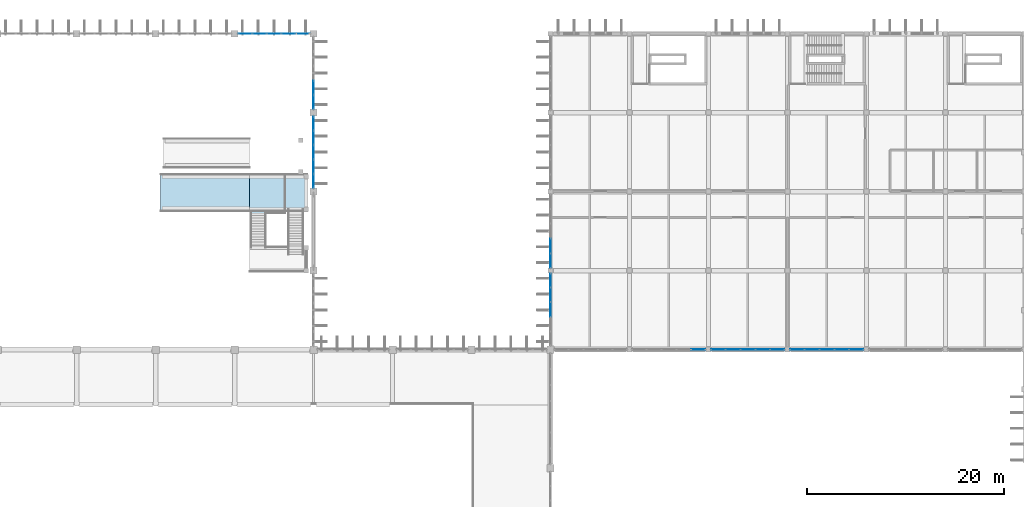
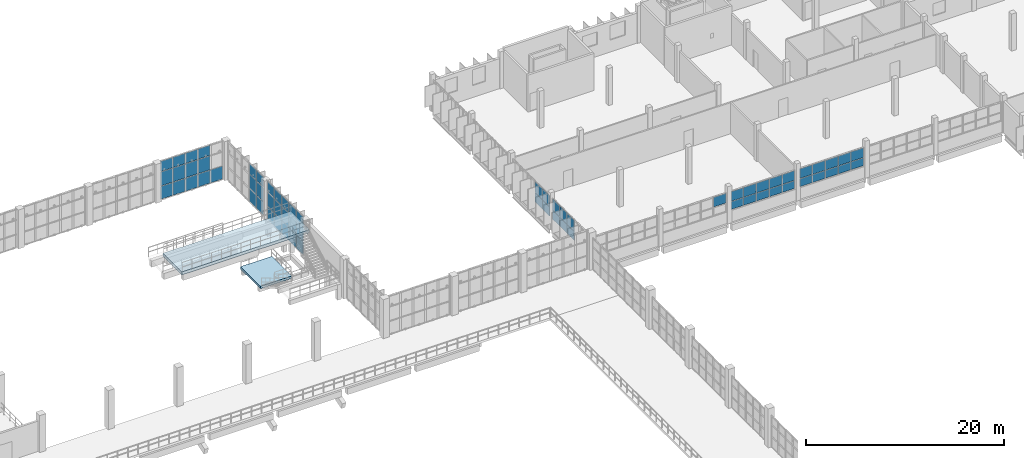
# One storey, part 58 of 93: 65 plates, 2 slabs, 8 elements without a shape of their own.
"""IFC4 building model written with IfcOpenShell, lengths in metres."""

from ifc_helpers import new_model, si_unit, direction, frame, origin, origin_2d, place, context, subcontext, project, spatial, polyline, rectangle, outline, extrude, material, layer, layer_set, type_object, element, aggregate, save


model = new_model("IFC4")

# Units and contexts
model_context = context("Model", 3, precision=1e-05, world=origin(), true_north=direction((0.0, 1.0)))
body_context = subcontext(model_context, "Body", "Model", "MODEL_VIEW")
ifc_project = project(units=[si_unit("LENGTHUNIT", "METRE"), si_unit("AREAUNIT", "SQUARE_METRE"), si_unit("VOLUMEUNIT", "CUBIC_METRE"), si_unit("PLANEANGLEUNIT", "RADIAN"), si_unit("MASSUNIT", "GRAM", prefix="KILO")], contexts=[model_context])

# Site, building, storey
site_placement = place(None, origin())
site = spatial("IfcSite", under=ifc_project, at=site_placement, CompositionType="ELEMENT")
building_placement = place(site_placement, origin())
building = spatial("IfcBuilding", under=site, at=building_placement, Name="Drelvana Railside Aquatics Centre", CompositionType="ELEMENT")
storey_placement = place(building_placement, frame((0.0, 0.0, 5.39990234375)))
storey = spatial("IfcBuildingStorey", under=building, at=storey_placement, Name="L01", CompositionType="ELEMENT", Elevation=5.39990234375)

# Curtain wall, plates
ifc_material_1 = material(Name="Bronze-anodised aluminium curtain wall", Category="aluminium")
ifc_layer_1 = layer(ifc_material_1, 0.179931640625, Name="Bronze-anodised aluminium curtain wall")
ifc_layer_set_1 = layer_set([ifc_layer_1], Name="Bronze-anodised aluminium curtain wall")
curtain_wall_type_1 = type_object("IfcCurtainWallType", Name="CW-Z2-CLER", PredefinedType="NOTDEFINED", material=ifc_layer_set_1)
curtain_wall_1_placement = place(storey_placement, origin())
curtain_wall_1 = element("IfcCurtainWall", 1, at=curtain_wall_1_placement, inside=storey, type_object=curtain_wall_type_1, Name="Curtain wall CW-02-040", PredefinedType="NOTDEFINED")
ifc_material_2 = material(Name="Double-glazed low-e solar-control glass", Category="glass")
ifc_layer_2 = layer(ifc_material_2, 0.028076171875, Name="Double-glazed low-e solar-control glass")
ifc_layer_set_2 = layer_set([ifc_layer_2], Name="Double-glazed low-e solar-control glass")
plate_type_1 = type_object("IfcPlateType", Name="CW-Z2-CLER-PAN", PredefinedType="CURTAIN_PANEL", material=ifc_layer_set_2)
plate_1_placement = place(storey_placement, frame((65.0927734375, 116.0, 0.05419921875), z_axis=(0.0, 0.0, 1.0), x_axis=(1.0, 0.0, 0.0)))
plate_1 = element("IfcPlate", 2, at=plate_1_placement, type_object=plate_type_1, Name="CW-02 panel 1.1", PredefinedType="CURTAIN_PANEL", context=body_context, shape_type="SweptSolid", body=[
    extrude(rectangle(XDim=1.367431640625, YDim=0.028076171875, at=origin_2d()), origin(), (0.0, 0.0, 1.0), 1.591552734375),
])
plate_2_placement = place(storey_placement, frame((65.0927734375, 116.0, 1.70068359375), z_axis=(0.0, 0.0, 1.0), x_axis=(1.0, 0.0, 0.0)))
plate_2 = element("IfcPlate", 3, at=plate_2_placement, type_object=plate_type_1, Name="CW-02 panel 1.2", PredefinedType="CURTAIN_PANEL", context=body_context, shape_type="SweptSolid", body=[
    extrude(rectangle(XDim=1.367431640625, YDim=0.028076171875, at=origin_2d()), origin(), (0.0, 0.0, 1.0), 1.718994140625),
])
plate_3_placement = place(storey_placement, frame((65.0927734375, 116.0, 3.474609375), z_axis=(0.0, 0.0, 1.0), x_axis=(1.0, 0.0, 0.0)))
plate_3 = element("IfcPlate", 4, at=plate_3_placement, type_object=plate_type_1, Name="CW-02 panel 1.3", PredefinedType="CURTAIN_PANEL", context=body_context, shape_type="SweptSolid", body=[
    extrude(rectangle(XDim=1.367431640625, YDim=0.028076171875, at=origin_2d()), origin(), (0.0, 0.0, 1.0), 1.255615234375),
])
plate_4_placement = place(storey_placement, frame((66.53759765625, 116.0, 0.05419921875), z_axis=(0.0, 0.0, 1.0), x_axis=(1.0, 0.0, 0.0)))
plate_4 = element("IfcPlate", 5, at=plate_4_placement, type_object=plate_type_1, Name="CW-02 panel 2.1", PredefinedType="CURTAIN_PANEL", context=body_context, shape_type="SweptSolid", body=[
    extrude(rectangle(XDim=1.40234375, YDim=0.028076171875, at=origin_2d()), origin(), (0.0, 0.0, 1.0), 1.591552734375),
])
plate_5_placement = place(storey_placement, frame((66.53759765625, 116.0, 1.70068359375), z_axis=(0.0, 0.0, 1.0), x_axis=(1.0, 0.0, 0.0)))
plate_5 = element("IfcPlate", 6, at=plate_5_placement, type_object=plate_type_1, Name="CW-02 panel 2.2", PredefinedType="CURTAIN_PANEL", context=body_context, shape_type="SweptSolid", body=[
    extrude(rectangle(XDim=1.40234375, YDim=0.028076171875, at=origin_2d()), origin(), (0.0, 0.0, 1.0), 1.718994140625),
])
plate_6_placement = place(storey_placement, frame((66.53759765625, 116.0, 3.474609375), z_axis=(0.0, 0.0, 1.0), x_axis=(1.0, 0.0, 0.0)))
plate_6 = element("IfcPlate", 7, at=plate_6_placement, type_object=plate_type_1, Name="CW-02 panel 2.3", PredefinedType="CURTAIN_PANEL", context=body_context, shape_type="SweptSolid", body=[
    extrude(rectangle(XDim=1.40234375, YDim=0.028076171875, at=origin_2d()), origin(), (0.0, 0.0, 1.0), 1.255615234375),
])
plate_7_placement = place(storey_placement, frame((68.0, 116.0, 0.05419921875), z_axis=(0.0, 0.0, 1.0), x_axis=(1.0, 0.0, 0.0)))
plate_7 = element("IfcPlate", 8, at=plate_7_placement, type_object=plate_type_1, Name="CW-02 panel 3.1", PredefinedType="CURTAIN_PANEL", context=body_context, shape_type="SweptSolid", body=[
    extrude(rectangle(XDim=1.40234375, YDim=0.028076171875, at=origin_2d()), origin(), (0.0, 0.0, 1.0), 1.591552734375),
])
plate_8_placement = place(storey_placement, frame((68.0, 116.0, 1.70068359375), z_axis=(0.0, 0.0, 1.0), x_axis=(1.0, 0.0, 0.0)))
plate_8 = element("IfcPlate", 9, at=plate_8_placement, type_object=plate_type_1, Name="CW-02 panel 3.2", PredefinedType="CURTAIN_PANEL", context=body_context, shape_type="SweptSolid", body=[
    extrude(rectangle(XDim=1.40234375, YDim=0.028076171875, at=origin_2d()), origin(), (0.0, 0.0, 1.0), 1.718994140625),
])
plate_9_placement = place(storey_placement, frame((68.0, 116.0, 3.474609375), z_axis=(0.0, 0.0, 1.0), x_axis=(1.0, 0.0, 0.0)))
plate_9 = element("IfcPlate", 10, at=plate_9_placement, type_object=plate_type_1, Name="CW-02 panel 3.3", PredefinedType="CURTAIN_PANEL", context=body_context, shape_type="SweptSolid", body=[
    extrude(rectangle(XDim=1.40234375, YDim=0.028076171875, at=origin_2d()), origin(), (0.0, 0.0, 1.0), 1.255615234375),
])
plate_10_placement = place(storey_placement, frame((69.46240234375, 116.0, 0.05419921875), z_axis=(0.0, 0.0, 1.0), x_axis=(1.0, 0.0, 0.0)))
plate_10 = element("IfcPlate", 11, at=plate_10_placement, type_object=plate_type_1, Name="CW-02 panel 4.1", PredefinedType="CURTAIN_PANEL", context=body_context, shape_type="SweptSolid", body=[
    extrude(rectangle(XDim=1.40234375, YDim=0.028076171875, at=origin_2d()), origin(), (0.0, 0.0, 1.0), 1.591552734375),
])
plate_11_placement = place(storey_placement, frame((69.46240234375, 116.0, 1.70068359375), z_axis=(0.0, 0.0, 1.0), x_axis=(1.0, 0.0, 0.0)))
plate_11 = element("IfcPlate", 12, at=plate_11_placement, type_object=plate_type_1, Name="CW-02 panel 4.2", PredefinedType="CURTAIN_PANEL", context=body_context, shape_type="SweptSolid", body=[
    extrude(rectangle(XDim=1.40234375, YDim=0.028076171875, at=origin_2d()), origin(), (0.0, 0.0, 1.0), 1.718994140625),
])
plate_12_placement = place(storey_placement, frame((69.46240234375, 116.0, 3.474609375), z_axis=(0.0, 0.0, 1.0), x_axis=(1.0, 0.0, 0.0)))
plate_12 = element("IfcPlate", 13, at=plate_12_placement, type_object=plate_type_1, Name="CW-02 panel 4.3", PredefinedType="CURTAIN_PANEL", context=body_context, shape_type="SweptSolid", body=[
    extrude(rectangle(XDim=1.40234375, YDim=0.028076171875, at=origin_2d()), origin(), (0.0, 0.0, 1.0), 1.255615234375),
])
plate_13_placement = place(storey_placement, frame((70.9072265625, 116.0, 0.05419921875), z_axis=(0.0, 0.0, 1.0), x_axis=(1.0, 0.0, 0.0)))
plate_13 = element("IfcPlate", 14, at=plate_13_placement, type_object=plate_type_1, Name="CW-02 panel 5.1", PredefinedType="CURTAIN_PANEL", context=body_context, shape_type="SweptSolid", body=[
    extrude(rectangle(XDim=1.367431640625, YDim=0.028076171875, at=origin_2d()), origin(), (0.0, 0.0, 1.0), 1.591552734375),
])
aggregate(curtain_wall_1, [plate_1, plate_2, plate_3, plate_4, plate_5, plate_6, plate_7, plate_8, plate_9, plate_10, plate_11, plate_12, plate_13])

# Curtain wall, plate
ifc_layer_3 = layer(ifc_material_1, 0.1650390625, Name="Bronze-anodised aluminium curtain wall")
ifc_layer_set_3 = layer_set([ifc_layer_3], Name="Bronze-anodised aluminium curtain wall")
curtain_wall_type_2 = type_object("IfcCurtainWallType", Name="CW-Z5-COURT", PredefinedType="NOTDEFINED", material=ifc_layer_set_3)
curtain_wall_2_placement = place(storey_placement, origin())
curtain_wall_2 = element("IfcCurtainWall", 15, at=curtain_wall_2_placement, inside=storey, type_object=curtain_wall_type_2, Name="Curtain wall CW-05-118", PredefinedType="NOTDEFINED")
ifc_layer_4 = layer(ifc_material_2, 0.02587890625, Name="Double-glazed low-e solar-control glass")
ifc_layer_set_4 = layer_set([ifc_layer_4], Name="Double-glazed low-e solar-control glass")
plate_type_2 = type_object("IfcPlateType", Name="CW-Z5-COURT-PAN", PredefinedType="CURTAIN_PANEL", material=ifc_layer_set_4)
plate_14_placement = place(storey_placement, frame((110.98974609375, 84.0, 2.45703125), z_axis=(0.0, 0.0, 1.0), x_axis=(1.0, 0.0, 0.0)))
plate_14 = element("IfcPlate", 16, at=plate_14_placement, type_object=plate_type_2, Name="CW-05 panel 5.2", PredefinedType="CURTAIN_PANEL", context=body_context, shape_type="SweptSolid", body=[
    extrude(rectangle(XDim=1.42236328125, YDim=0.02587890625, at=origin_2d()), origin(), (0.0, 0.0, 1.0), 1.18798828125),
])
aggregate(curtain_wall_2, [plate_14])

# Curtain wall, plates
curtain_wall_3_placement = place(storey_placement, origin())
curtain_wall_3 = element("IfcCurtainWall", 17, at=curtain_wall_3_placement, inside=storey, type_object=curtain_wall_type_2, Name="Curtain wall CW-05-120", PredefinedType="NOTDEFINED")
plate_15_placement = place(storey_placement, frame((113.01025390625, 84.0, 1.448974609375), z_axis=(0.0, 0.0, 1.0), x_axis=(1.0, 0.0, 0.0)))
plate_15 = element("IfcPlate", 18, at=plate_15_placement, type_object=plate_type_2, Name="CW-05 panel 1.1", PredefinedType="CURTAIN_PANEL", context=body_context, shape_type="SweptSolid", body=[
    extrude(rectangle(XDim=1.42236328125, YDim=0.02587890625, at=origin_2d()), origin(), (0.0, 0.0, 1.0), 0.9580078125),
])
plate_16_placement = place(storey_placement, frame((113.01025390625, 84.0, 2.45703125), z_axis=(0.0, 0.0, 1.0), x_axis=(1.0, 0.0, 0.0)))
plate_16 = element("IfcPlate", 19, at=plate_16_placement, type_object=plate_type_2, Name="CW-05 panel 1.2", PredefinedType="CURTAIN_PANEL", context=body_context, shape_type="SweptSolid", body=[
    extrude(rectangle(XDim=1.42236328125, YDim=0.02587890625, at=origin_2d()), origin(), (0.0, 0.0, 1.0), 1.18798828125),
])
plate_17_placement = place(storey_placement, frame((114.49755859375, 84.0, 1.448974609375), z_axis=(0.0, 0.0, 1.0), x_axis=(1.0, 0.0, 0.0)))
plate_17 = element("IfcPlate", 20, at=plate_17_placement, type_object=plate_type_2, Name="CW-05 panel 2.1", PredefinedType="CURTAIN_PANEL", context=body_context, shape_type="SweptSolid", body=[
    extrude(rectangle(XDim=1.452392578125, YDim=0.02587890625, at=origin_2d()), origin(), (0.0, 0.0, 1.0), 0.9580078125),
])
plate_18_placement = place(storey_placement, frame((114.49755859375, 84.0, 2.45703125), z_axis=(0.0, 0.0, 1.0), x_axis=(1.0, 0.0, 0.0)))
plate_18 = element("IfcPlate", 21, at=plate_18_placement, type_object=plate_type_2, Name="CW-05 panel 2.2", PredefinedType="CURTAIN_PANEL", context=body_context, shape_type="SweptSolid", body=[
    extrude(rectangle(XDim=1.452392578125, YDim=0.02587890625, at=origin_2d()), origin(), (0.0, 0.0, 1.0), 1.18798828125),
])
plate_19_placement = place(storey_placement, frame((116.0, 84.0, 1.448974609375), z_axis=(0.0, 0.0, 1.0), x_axis=(1.0, 0.0, 0.0)))
plate_19 = element("IfcPlate", 22, at=plate_19_placement, type_object=plate_type_2, Name="CW-05 panel 3.1", PredefinedType="CURTAIN_PANEL", context=body_context, shape_type="SweptSolid", body=[
    extrude(rectangle(XDim=1.452392578125, YDim=0.02587890625, at=origin_2d()), origin(), (0.0, 0.0, 1.0), 0.9580078125),
])
plate_20_placement = place(storey_placement, frame((116.0, 84.0, 2.45703125), z_axis=(0.0, 0.0, 1.0), x_axis=(1.0, 0.0, 0.0)))
plate_20 = element("IfcPlate", 23, at=plate_20_placement, type_object=plate_type_2, Name="CW-05 panel 3.2", PredefinedType="CURTAIN_PANEL", context=body_context, shape_type="SweptSolid", body=[
    extrude(rectangle(XDim=1.452392578125, YDim=0.02587890625, at=origin_2d()), origin(), (0.0, 0.0, 1.0), 1.18798828125),
])
plate_21_placement = place(storey_placement, frame((117.50244140625, 84.0, 1.448974609375), z_axis=(0.0, 0.0, 1.0), x_axis=(1.0, 0.0, 0.0)))
plate_21 = element("IfcPlate", 24, at=plate_21_placement, type_object=plate_type_2, Name="CW-05 panel 4.1", PredefinedType="CURTAIN_PANEL", context=body_context, shape_type="SweptSolid", body=[
    extrude(rectangle(XDim=1.452392578125, YDim=0.02587890625, at=origin_2d()), origin(), (0.0, 0.0, 1.0), 0.9580078125),
])
plate_22_placement = place(storey_placement, frame((117.50244140625, 84.0, 2.45703125), z_axis=(0.0, 0.0, 1.0), x_axis=(1.0, 0.0, 0.0)))
plate_22 = element("IfcPlate", 25, at=plate_22_placement, type_object=plate_type_2, Name="CW-05 panel 4.2", PredefinedType="CURTAIN_PANEL", context=body_context, shape_type="SweptSolid", body=[
    extrude(rectangle(XDim=1.452392578125, YDim=0.02587890625, at=origin_2d()), origin(), (0.0, 0.0, 1.0), 1.18798828125),
])
plate_23_placement = place(storey_placement, frame((118.98974609375, 84.0, 1.448974609375), z_axis=(0.0, 0.0, 1.0), x_axis=(1.0, 0.0, 0.0)))
plate_23 = element("IfcPlate", 26, at=plate_23_placement, type_object=plate_type_2, Name="CW-05 panel 5.1", PredefinedType="CURTAIN_PANEL", context=body_context, shape_type="SweptSolid", body=[
    extrude(rectangle(XDim=1.42236328125, YDim=0.02587890625, at=origin_2d()), origin(), (0.0, 0.0, 1.0), 0.9580078125),
])
plate_24_placement = place(storey_placement, frame((118.98974609375, 84.0, 2.45703125), z_axis=(0.0, 0.0, 1.0), x_axis=(1.0, 0.0, 0.0)))
plate_24 = element("IfcPlate", 27, at=plate_24_placement, type_object=plate_type_2, Name="CW-05 panel 5.2", PredefinedType="CURTAIN_PANEL", context=body_context, shape_type="SweptSolid", body=[
    extrude(rectangle(XDim=1.42236328125, YDim=0.02587890625, at=origin_2d()), origin(), (0.0, 0.0, 1.0), 1.18798828125),
])
aggregate(curtain_wall_3, [plate_15, plate_16, plate_17, plate_18, plate_19, plate_20, plate_21, plate_22, plate_23, plate_24])

curtain_wall_4_placement = place(storey_placement, origin())
curtain_wall_4 = element("IfcCurtainWall", 28, at=curtain_wall_4_placement, inside=storey, type_object=curtain_wall_type_2, Name="Curtain wall CW-05-122", PredefinedType="NOTDEFINED")
plate_25_placement = place(storey_placement, frame((121.01025390625, 84.0, 1.448974609375), z_axis=(0.0, 0.0, 1.0), x_axis=(1.0, 0.0, 0.0)))
plate_25 = element("IfcPlate", 29, at=plate_25_placement, type_object=plate_type_2, Name="CW-05 panel 1.1", PredefinedType="CURTAIN_PANEL", context=body_context, shape_type="SweptSolid", body=[
    extrude(rectangle(XDim=1.42236328125, YDim=0.02587890625, at=origin_2d()), origin(), (0.0, 0.0, 1.0), 0.9580078125),
])
plate_26_placement = place(storey_placement, frame((121.01025390625, 84.0, 2.45703125), z_axis=(0.0, 0.0, 1.0), x_axis=(1.0, 0.0, 0.0)))
plate_26 = element("IfcPlate", 30, at=plate_26_placement, type_object=plate_type_2, Name="CW-05 panel 1.2", PredefinedType="CURTAIN_PANEL", context=body_context, shape_type="SweptSolid", body=[
    extrude(rectangle(XDim=1.42236328125, YDim=0.02587890625, at=origin_2d()), origin(), (0.0, 0.0, 1.0), 1.18798828125),
])
plate_27_placement = place(storey_placement, frame((122.49755859375, 84.0, 1.448974609375), z_axis=(0.0, 0.0, 1.0), x_axis=(1.0, 0.0, 0.0)))
plate_27 = element("IfcPlate", 31, at=plate_27_placement, type_object=plate_type_2, Name="CW-05 panel 2.1", PredefinedType="CURTAIN_PANEL", context=body_context, shape_type="SweptSolid", body=[
    extrude(rectangle(XDim=1.452392578125, YDim=0.02587890625, at=origin_2d()), origin(), (0.0, 0.0, 1.0), 0.9580078125),
])
plate_28_placement = place(storey_placement, frame((122.49755859375, 84.0, 2.45703125), z_axis=(0.0, 0.0, 1.0), x_axis=(1.0, 0.0, 0.0)))
plate_28 = element("IfcPlate", 32, at=plate_28_placement, type_object=plate_type_2, Name="CW-05 panel 2.2", PredefinedType="CURTAIN_PANEL", context=body_context, shape_type="SweptSolid", body=[
    extrude(rectangle(XDim=1.452392578125, YDim=0.02587890625, at=origin_2d()), origin(), (0.0, 0.0, 1.0), 1.18798828125),
])
plate_29_placement = place(storey_placement, frame((124.0, 84.0, 1.448974609375), z_axis=(0.0, 0.0, 1.0), x_axis=(1.0, 0.0, 0.0)))
plate_29 = element("IfcPlate", 33, at=plate_29_placement, type_object=plate_type_2, Name="CW-05 panel 3.1", PredefinedType="CURTAIN_PANEL", context=body_context, shape_type="SweptSolid", body=[
    extrude(rectangle(XDim=1.452392578125, YDim=0.02587890625, at=origin_2d()), origin(), (0.0, 0.0, 1.0), 0.9580078125),
])
plate_30_placement = place(storey_placement, frame((124.0, 84.0, 2.45703125), z_axis=(0.0, 0.0, 1.0), x_axis=(1.0, 0.0, 0.0)))
plate_30 = element("IfcPlate", 34, at=plate_30_placement, type_object=plate_type_2, Name="CW-05 panel 3.2", PredefinedType="CURTAIN_PANEL", context=body_context, shape_type="SweptSolid", body=[
    extrude(rectangle(XDim=1.452392578125, YDim=0.02587890625, at=origin_2d()), origin(), (0.0, 0.0, 1.0), 1.18798828125),
])
plate_31_placement = place(storey_placement, frame((125.50244140625, 84.0, 1.448974609375), z_axis=(0.0, 0.0, 1.0), x_axis=(1.0, 0.0, 0.0)))
plate_31 = element("IfcPlate", 35, at=plate_31_placement, type_object=plate_type_2, Name="CW-05 panel 4.1", PredefinedType="CURTAIN_PANEL", context=body_context, shape_type="SweptSolid", body=[
    extrude(rectangle(XDim=1.452392578125, YDim=0.02587890625, at=origin_2d()), origin(), (0.0, 0.0, 1.0), 0.9580078125),
])
plate_32_placement = place(storey_placement, frame((125.50244140625, 84.0, 2.45703125), z_axis=(0.0, 0.0, 1.0), x_axis=(1.0, 0.0, 0.0)))
plate_32 = element("IfcPlate", 36, at=plate_32_placement, type_object=plate_type_2, Name="CW-05 panel 4.2", PredefinedType="CURTAIN_PANEL", context=body_context, shape_type="SweptSolid", body=[
    extrude(rectangle(XDim=1.452392578125, YDim=0.02587890625, at=origin_2d()), origin(), (0.0, 0.0, 1.0), 1.18798828125),
])
plate_33_placement = place(storey_placement, frame((126.98974609375, 84.0, 1.448974609375), z_axis=(0.0, 0.0, 1.0), x_axis=(1.0, 0.0, 0.0)))
plate_33 = element("IfcPlate", 37, at=plate_33_placement, type_object=plate_type_2, Name="CW-05 panel 5.1", PredefinedType="CURTAIN_PANEL", context=body_context, shape_type="SweptSolid", body=[
    extrude(rectangle(XDim=1.42236328125, YDim=0.02587890625, at=origin_2d()), origin(), (0.0, 0.0, 1.0), 0.9580078125),
])
plate_34_placement = place(storey_placement, frame((126.98974609375, 84.0, 2.45703125), z_axis=(0.0, 0.0, 1.0), x_axis=(1.0, 0.0, 0.0)))
plate_34 = element("IfcPlate", 38, at=plate_34_placement, type_object=plate_type_2, Name="CW-05 panel 5.2", PredefinedType="CURTAIN_PANEL", context=body_context, shape_type="SweptSolid", body=[
    extrude(rectangle(XDim=1.42236328125, YDim=0.02587890625, at=origin_2d()), origin(), (0.0, 0.0, 1.0), 1.18798828125),
])
aggregate(curtain_wall_4, [plate_25, plate_26, plate_27, plate_28, plate_29, plate_30, plate_31, plate_32, plate_33, plate_34])

curtain_wall_5_placement = place(storey_placement, origin())
curtain_wall_5 = element("IfcCurtainWall", 39, at=curtain_wall_5_placement, inside=storey, type_object=curtain_wall_type_2, Name="Curtain wall CW-05-128", PredefinedType="NOTDEFINED")
plate_35_placement = place(storey_placement, frame((96.0, 88.0625, 1.29931640625), z_axis=(0.0, 0.0, 1.0), x_axis=(0.0, 1.0, 0.0)))
plate_35 = element("IfcPlate", 40, at=plate_35_placement, type_object=plate_type_2, Name="CW-05 panel 3.1", PredefinedType="CURTAIN_PANEL", context=body_context, shape_type="SweptSolid", body=[
    extrude(rectangle(XDim=1.427490234375, YDim=0.02587890625, at=origin_2d()), origin(), (0.0, 0.0, 1.0), 1.093017578125),
])
plate_36_placement = place(storey_placement, frame((96.0, 88.0625, 2.442138671875), z_axis=(0.0, 0.0, 1.0), x_axis=(0.0, 1.0, 0.0)))
plate_36 = element("IfcPlate", 41, at=plate_36_placement, type_object=plate_type_2, Name="CW-05 panel 3.2", PredefinedType="CURTAIN_PANEL", context=body_context, shape_type="SweptSolid", body=[
    extrude(rectangle(XDim=1.427490234375, YDim=0.02587890625, at=origin_2d()), origin(), (0.0, 0.0, 1.0), 1.35302734375),
])
plate_37_placement = place(storey_placement, frame((96.0, 89.539794921875, 1.29931640625), z_axis=(0.0, 0.0, 1.0), x_axis=(0.0, 1.0, 0.0)))
plate_37 = element("IfcPlate", 42, at=plate_37_placement, type_object=plate_type_2, Name="CW-05 panel 4.1", PredefinedType="CURTAIN_PANEL", context=body_context, shape_type="SweptSolid", body=[
    extrude(rectangle(XDim=1.427490234375, YDim=0.02587890625, at=origin_2d()), origin(), (0.0, 0.0, 1.0), 1.093017578125),
])
plate_38_placement = place(storey_placement, frame((96.0, 89.539794921875, 2.442138671875), z_axis=(0.0, 0.0, 1.0), x_axis=(0.0, 1.0, 0.0)))
plate_38 = element("IfcPlate", 43, at=plate_38_placement, type_object=plate_type_2, Name="CW-05 panel 4.2", PredefinedType="CURTAIN_PANEL", context=body_context, shape_type="SweptSolid", body=[
    extrude(rectangle(XDim=1.427490234375, YDim=0.02587890625, at=origin_2d()), origin(), (0.0, 0.0, 1.0), 1.35302734375),
])
plate_39_placement = place(storey_placement, frame((96.0, 91.002197265625, 1.29931640625), z_axis=(0.0, 0.0, 1.0), x_axis=(0.0, 1.0, 0.0)))
plate_39 = element("IfcPlate", 44, at=plate_39_placement, type_object=plate_type_2, Name="CW-05 panel 5.1", PredefinedType="CURTAIN_PANEL", context=body_context, shape_type="SweptSolid", body=[
    extrude(rectangle(XDim=1.3974609375, YDim=0.02587890625, at=origin_2d()), origin(), (0.0, 0.0, 1.0), 1.093017578125),
])
plate_40_placement = place(storey_placement, frame((96.0, 91.002197265625, 2.442138671875), z_axis=(0.0, 0.0, 1.0), x_axis=(0.0, 1.0, 0.0)))
plate_40 = element("IfcPlate", 45, at=plate_40_placement, type_object=plate_type_2, Name="CW-05 panel 5.2", PredefinedType="CURTAIN_PANEL", context=body_context, shape_type="SweptSolid", body=[
    extrude(rectangle(XDim=1.3974609375, YDim=0.02587890625, at=origin_2d()), origin(), (0.0, 0.0, 1.0), 1.35302734375),
])
aggregate(curtain_wall_5, [plate_35, plate_36, plate_37, plate_38, plate_39, plate_40])

curtain_wall_6_placement = place(storey_placement, origin())
curtain_wall_6 = element("IfcCurtainWall", 46, at=curtain_wall_6_placement, inside=storey, type_object=curtain_wall_type_2, Name="Curtain wall CW-05-130", PredefinedType="NOTDEFINED")
plate_41_placement = place(storey_placement, frame((96.0, 93.01025390625, 1.29931640625), z_axis=(0.0, 0.0, 1.0), x_axis=(0.0, 1.0, 0.0)))
plate_41 = element("IfcPlate", 47, at=plate_41_placement, type_object=plate_type_2, Name="CW-05 panel 1.1", PredefinedType="CURTAIN_PANEL", context=body_context, shape_type="SweptSolid", body=[
    extrude(rectangle(XDim=1.42236328125, YDim=0.02587890625, at=origin_2d()), origin(), (0.0, 0.0, 1.0), 1.093017578125),
])
plate_42_placement = place(storey_placement, frame((96.0, 93.01025390625, 2.442138671875), z_axis=(0.0, 0.0, 1.0), x_axis=(0.0, 1.0, 0.0)))
plate_42 = element("IfcPlate", 48, at=plate_42_placement, type_object=plate_type_2, Name="CW-05 panel 1.2", PredefinedType="CURTAIN_PANEL", context=body_context, shape_type="SweptSolid", body=[
    extrude(rectangle(XDim=1.42236328125, YDim=0.02587890625, at=origin_2d()), origin(), (0.0, 0.0, 1.0), 1.35302734375),
])
plate_43_placement = place(storey_placement, frame((96.0, 94.49755859375, 1.29931640625), z_axis=(0.0, 0.0, 1.0), x_axis=(0.0, 1.0, 0.0)))
plate_43 = element("IfcPlate", 49, at=plate_43_placement, type_object=plate_type_2, Name="CW-05 panel 2.1", PredefinedType="CURTAIN_PANEL", context=body_context, shape_type="SweptSolid", body=[
    extrude(rectangle(XDim=1.452392578125, YDim=0.02587890625, at=origin_2d()), origin(), (0.0, 0.0, 1.0), 1.093017578125),
])
plate_44_placement = place(storey_placement, frame((96.0, 94.49755859375, 2.442138671875), z_axis=(0.0, 0.0, 1.0), x_axis=(0.0, 1.0, 0.0)))
plate_44 = element("IfcPlate", 50, at=plate_44_placement, type_object=plate_type_2, Name="CW-05 panel 2.2", PredefinedType="CURTAIN_PANEL", context=body_context, shape_type="SweptSolid", body=[
    extrude(rectangle(XDim=1.452392578125, YDim=0.02587890625, at=origin_2d()), origin(), (0.0, 0.0, 1.0), 1.35302734375),
])
aggregate(curtain_wall_6, [plate_41, plate_42, plate_43, plate_44])

ifc_layer_5 = layer(ifc_material_1, 0.2099609375, Name="Bronze-anodised aluminium curtain wall")
ifc_layer_set_5 = layer_set([ifc_layer_5], Name="Bronze-anodised aluminium curtain wall")
curtain_wall_type_3 = type_object("IfcCurtainWallType", Name="CW-Z7-DIVE", PredefinedType="NOTDEFINED", material=ifc_layer_set_5)
curtain_wall_7_placement = place(storey_placement, origin())
curtain_wall_7 = element("IfcCurtainWall", 51, at=curtain_wall_7_placement, inside=storey, type_object=curtain_wall_type_3, Name="Curtain wall CW-07-094", PredefinedType="NOTDEFINED")
ifc_layer_6 = layer(ifc_material_2, 0.033935546875, Name="Double-glazed low-e solar-control glass")
ifc_layer_set_6 = layer_set([ifc_layer_6], Name="Double-glazed low-e solar-control glass")
plate_type_3 = type_object("IfcPlateType", Name="CW-Z7-DIVE-PAN", PredefinedType="CURTAIN_PANEL", material=ifc_layer_set_6)
plate_45_placement = place(storey_placement, frame((72.0, 101.09521484375, 0.05908203125), z_axis=(0.0, 0.0, 1.0), x_axis=(0.0, 1.0, 0.0)))
plate_45 = element("IfcPlate", 52, at=plate_45_placement, type_object=plate_type_3, Name="CW-07 panel 1.1", PredefinedType="CURTAIN_PANEL", context=body_context, shape_type="SweptSolid", body=[
    extrude(rectangle(XDim=1.352294921875, YDim=0.033935546875, at=origin_2d()), origin(), (0.0, 0.0, 1.0), 1.583984375),
])
plate_46_placement = place(storey_placement, frame((72.0, 101.09521484375, 1.703125), z_axis=(0.0, 0.0, 1.0), x_axis=(0.0, 1.0, 0.0)))
plate_46 = element("IfcPlate", 53, at=plate_46_placement, type_object=plate_type_3, Name="CW-07 panel 1.2", PredefinedType="CURTAIN_PANEL", context=body_context, shape_type="SweptSolid", body=[
    extrude(rectangle(XDim=1.352294921875, YDim=0.033935546875, at=origin_2d()), origin(), (0.0, 0.0, 1.0), 1.714111328125),
])
plate_47_placement = place(storey_placement, frame((72.0, 101.09521484375, 3.47705078125), z_axis=(0.0, 0.0, 1.0), x_axis=(0.0, 1.0, 0.0)))
plate_47 = element("IfcPlate", 54, at=plate_47_placement, type_object=plate_type_3, Name="CW-07 panel 1.3", PredefinedType="CURTAIN_PANEL", context=body_context, shape_type="SweptSolid", body=[
    extrude(rectangle(XDim=1.352294921875, YDim=0.033935546875, at=origin_2d()), origin(), (0.0, 0.0, 1.0), 1.248046875),
])
plate_48_placement = place(storey_placement, frame((72.0, 102.53759765625, 0.05908203125), z_axis=(0.0, 0.0, 1.0), x_axis=(0.0, 1.0, 0.0)))
plate_48 = element("IfcPlate", 55, at=plate_48_placement, type_object=plate_type_3, Name="CW-07 panel 2.1", PredefinedType="CURTAIN_PANEL", context=body_context, shape_type="SweptSolid", body=[
    extrude(rectangle(XDim=1.392333984375, YDim=0.033935546875, at=origin_2d()), origin(), (0.0, 0.0, 1.0), 1.583984375),
])
plate_49_placement = place(storey_placement, frame((72.0, 102.53759765625, 1.703125), z_axis=(0.0, 0.0, 1.0), x_axis=(0.0, 1.0, 0.0)))
plate_49 = element("IfcPlate", 56, at=plate_49_placement, type_object=plate_type_3, Name="CW-07 panel 2.2", PredefinedType="CURTAIN_PANEL", context=body_context, shape_type="SweptSolid", body=[
    extrude(rectangle(XDim=1.392333984375, YDim=0.033935546875, at=origin_2d()), origin(), (0.0, 0.0, 1.0), 1.714111328125),
])
plate_50_placement = place(storey_placement, frame((72.0, 102.53759765625, 3.47705078125), z_axis=(0.0, 0.0, 1.0), x_axis=(0.0, 1.0, 0.0)))
plate_50 = element("IfcPlate", 57, at=plate_50_placement, type_object=plate_type_3, Name="CW-07 panel 2.3", PredefinedType="CURTAIN_PANEL", context=body_context, shape_type="SweptSolid", body=[
    extrude(rectangle(XDim=1.392333984375, YDim=0.033935546875, at=origin_2d()), origin(), (0.0, 0.0, 1.0), 1.248046875),
])
plate_51_placement = place(storey_placement, frame((72.0, 104.0, 0.05908203125), z_axis=(0.0, 0.0, 1.0), x_axis=(0.0, 1.0, 0.0)))
plate_51 = element("IfcPlate", 58, at=plate_51_placement, type_object=plate_type_3, Name="CW-07 panel 3.1", PredefinedType="CURTAIN_PANEL", context=body_context, shape_type="SweptSolid", body=[
    extrude(rectangle(XDim=1.392333984375, YDim=0.033935546875, at=origin_2d()), origin(), (0.0, 0.0, 1.0), 1.583984375),
])
plate_52_placement = place(storey_placement, frame((72.0, 104.0, 1.703125), z_axis=(0.0, 0.0, 1.0), x_axis=(0.0, 1.0, 0.0)))
plate_52 = element("IfcPlate", 59, at=plate_52_placement, type_object=plate_type_3, Name="CW-07 panel 3.2", PredefinedType="CURTAIN_PANEL", context=body_context, shape_type="SweptSolid", body=[
    extrude(rectangle(XDim=1.392333984375, YDim=0.033935546875, at=origin_2d()), origin(), (0.0, 0.0, 1.0), 1.714111328125),
])
plate_53_placement = place(storey_placement, frame((72.0, 104.0, 3.47705078125), z_axis=(0.0, 0.0, 1.0), x_axis=(0.0, 1.0, 0.0)))
plate_53 = element("IfcPlate", 60, at=plate_53_placement, type_object=plate_type_3, Name="CW-07 panel 3.3", PredefinedType="CURTAIN_PANEL", context=body_context, shape_type="SweptSolid", body=[
    extrude(rectangle(XDim=1.392333984375, YDim=0.033935546875, at=origin_2d()), origin(), (0.0, 0.0, 1.0), 1.248046875),
])
plate_54_placement = place(storey_placement, frame((72.0, 105.46240234375, 0.05908203125), z_axis=(0.0, 0.0, 1.0), x_axis=(0.0, 1.0, 0.0)))
plate_54 = element("IfcPlate", 61, at=plate_54_placement, type_object=plate_type_3, Name="CW-07 panel 4.1", PredefinedType="CURTAIN_PANEL", context=body_context, shape_type="SweptSolid", body=[
    extrude(rectangle(XDim=1.392333984375, YDim=0.033935546875, at=origin_2d()), origin(), (0.0, 0.0, 1.0), 1.583984375),
])
plate_55_placement = place(storey_placement, frame((72.0, 105.46240234375, 1.703125), z_axis=(0.0, 0.0, 1.0), x_axis=(0.0, 1.0, 0.0)))
plate_55 = element("IfcPlate", 62, at=plate_55_placement, type_object=plate_type_3, Name="CW-07 panel 4.2", PredefinedType="CURTAIN_PANEL", context=body_context, shape_type="SweptSolid", body=[
    extrude(rectangle(XDim=1.392333984375, YDim=0.033935546875, at=origin_2d()), origin(), (0.0, 0.0, 1.0), 1.714111328125),
])
plate_56_placement = place(storey_placement, frame((72.0, 105.46240234375, 3.47705078125), z_axis=(0.0, 0.0, 1.0), x_axis=(0.0, 1.0, 0.0)))
plate_56 = element("IfcPlate", 63, at=plate_56_placement, type_object=plate_type_3, Name="CW-07 panel 4.3", PredefinedType="CURTAIN_PANEL", context=body_context, shape_type="SweptSolid", body=[
    extrude(rectangle(XDim=1.392333984375, YDim=0.033935546875, at=origin_2d()), origin(), (0.0, 0.0, 1.0), 1.248046875),
])
plate_57_placement = place(storey_placement, frame((72.0, 106.90478515625, 0.05908203125), z_axis=(0.0, 0.0, 1.0), x_axis=(0.0, 1.0, 0.0)))
plate_57 = element("IfcPlate", 64, at=plate_57_placement, type_object=plate_type_3, Name="CW-07 panel 5.1", PredefinedType="CURTAIN_PANEL", context=body_context, shape_type="SweptSolid", body=[
    extrude(rectangle(XDim=1.352294921875, YDim=0.033935546875, at=origin_2d()), origin(), (0.0, 0.0, 1.0), 1.583984375),
])
plate_58_placement = place(storey_placement, frame((72.0, 106.90478515625, 1.703125), z_axis=(0.0, 0.0, 1.0), x_axis=(0.0, 1.0, 0.0)))
plate_58 = element("IfcPlate", 65, at=plate_58_placement, type_object=plate_type_3, Name="CW-07 panel 5.2", PredefinedType="CURTAIN_PANEL", context=body_context, shape_type="SweptSolid", body=[
    extrude(rectangle(XDim=1.352294921875, YDim=0.033935546875, at=origin_2d()), origin(), (0.0, 0.0, 1.0), 1.714111328125),
])
plate_59_placement = place(storey_placement, frame((72.0, 106.90478515625, 3.47705078125), z_axis=(0.0, 0.0, 1.0), x_axis=(0.0, 1.0, 0.0)))
plate_59 = element("IfcPlate", 66, at=plate_59_placement, type_object=plate_type_3, Name="CW-07 panel 5.3", PredefinedType="CURTAIN_PANEL", context=body_context, shape_type="SweptSolid", body=[
    extrude(rectangle(XDim=1.352294921875, YDim=0.033935546875, at=origin_2d()), origin(), (0.0, 0.0, 1.0), 1.248046875),
])
aggregate(curtain_wall_7, [plate_45, plate_46, plate_47, plate_48, plate_49, plate_50, plate_51, plate_52, plate_53, plate_54, plate_55, plate_56, plate_57, plate_58, plate_59])

curtain_wall_8_placement = place(storey_placement, origin())
curtain_wall_8 = element("IfcCurtainWall", 67, at=curtain_wall_8_placement, inside=storey, type_object=curtain_wall_type_3, Name="Curtain wall CW-07-097", PredefinedType="NOTDEFINED")
plate_60_placement = place(storey_placement, frame((72.0, 109.09521484375, 0.05908203125), z_axis=(0.0, 0.0, 1.0), x_axis=(0.0, 1.0, 0.0)))
plate_60 = element("IfcPlate", 68, at=plate_60_placement, type_object=plate_type_3, Name="CW-07 panel 1.1", PredefinedType="CURTAIN_PANEL", context=body_context, shape_type="SweptSolid", body=[
    extrude(rectangle(XDim=1.352294921875, YDim=0.033935546875, at=origin_2d()), origin(), (0.0, 0.0, 1.0), 1.583984375),
])
plate_61_placement = place(storey_placement, frame((72.0, 109.09521484375, 1.703125), z_axis=(0.0, 0.0, 1.0), x_axis=(0.0, 1.0, 0.0)))
plate_61 = element("IfcPlate", 69, at=plate_61_placement, type_object=plate_type_3, Name="CW-07 panel 1.2", PredefinedType="CURTAIN_PANEL", context=body_context, shape_type="SweptSolid", body=[
    extrude(rectangle(XDim=1.352294921875, YDim=0.033935546875, at=origin_2d()), origin(), (0.0, 0.0, 1.0), 1.714111328125),
])
plate_62_placement = place(storey_placement, frame((72.0, 109.09521484375, 3.47705078125), z_axis=(0.0, 0.0, 1.0), x_axis=(0.0, 1.0, 0.0)))
plate_62 = element("IfcPlate", 70, at=plate_62_placement, type_object=plate_type_3, Name="CW-07 panel 1.3", PredefinedType="CURTAIN_PANEL", context=body_context, shape_type="SweptSolid", body=[
    extrude(rectangle(XDim=1.352294921875, YDim=0.033935546875, at=origin_2d()), origin(), (0.0, 0.0, 1.0), 1.248046875),
])
plate_63_placement = place(storey_placement, frame((72.0, 110.53759765625, 0.05908203125), z_axis=(0.0, 0.0, 1.0), x_axis=(0.0, 1.0, 0.0)))
plate_63 = element("IfcPlate", 71, at=plate_63_placement, type_object=plate_type_3, Name="CW-07 panel 2.1", PredefinedType="CURTAIN_PANEL", context=body_context, shape_type="SweptSolid", body=[
    extrude(rectangle(XDim=1.392333984375, YDim=0.033935546875, at=origin_2d()), origin(), (0.0, 0.0, 1.0), 1.583984375),
])
plate_64_placement = place(storey_placement, frame((72.0, 110.53759765625, 1.703125), z_axis=(0.0, 0.0, 1.0), x_axis=(0.0, 1.0, 0.0)))
plate_64 = element("IfcPlate", 72, at=plate_64_placement, type_object=plate_type_3, Name="CW-07 panel 2.2", PredefinedType="CURTAIN_PANEL", context=body_context, shape_type="SweptSolid", body=[
    extrude(rectangle(XDim=1.392333984375, YDim=0.033935546875, at=origin_2d()), origin(), (0.0, 0.0, 1.0), 1.714111328125),
])
plate_65_placement = place(storey_placement, frame((72.0, 110.53759765625, 3.47705078125), z_axis=(0.0, 0.0, 1.0), x_axis=(0.0, 1.0, 0.0)))
plate_65 = element("IfcPlate", 73, at=plate_65_placement, type_object=plate_type_3, Name="CW-07 panel 2.3", PredefinedType="CURTAIN_PANEL", context=body_context, shape_type="SweptSolid", body=[
    extrude(rectangle(XDim=1.392333984375, YDim=0.033935546875, at=origin_2d()), origin(), (0.0, 0.0, 1.0), 1.248046875),
])
aggregate(curtain_wall_8, [plate_60, plate_61, plate_62, plate_63, plate_64, plate_65])

# Slabs
ifc_material_3 = material(Name="Concrete C40/50", Category="concrete")
ifc_layer_7 = layer(ifc_material_3, 0.2900390625, Name="Concrete C40/50")
ifc_layer_set_7 = layer_set([ifc_layer_7], Name="Concrete C40/50")
slab_type_1 = type_object("IfcSlabType", Name="SL-DV-290", PredefinedType="FLOOR", material=ifc_layer_set_7)
slab_1_placement = place(storey_placement, frame((0.0, 0.0, -0.289794921875)))
element("IfcSlab", 74, at=slab_1_placement, inside=storey, type_object=slab_type_1, Name="Diving tower L01 +5.40m transfer landing deck", PredefinedType="FLOOR", context=body_context, shape_type="SweptSolid", body=[
    extrude(outline(polyline([(65.5, 97.800048828125), (69.14990234375, 97.800048828125), (69.14990234375, 101.800048828125), (65.5, 101.800048828125), (65.5, 97.800048828125)])), origin(), (0.0, 0.0, 1.0), 0.289794921875),
])
ifc_layer_8 = layer(ifc_material_3, 0.3701171875, Name="Concrete C40/50")
ifc_layer_set_8 = layer_set([ifc_layer_8], Name="Concrete C40/50")
slab_type_2 = type_object("IfcSlabType", Name="SL-DV-370", PredefinedType="FLOOR", material=ifc_layer_set_8)
slab_2_placement = place(storey_placement, frame((0.0, 0.0, 4.43017578125)))
element("IfcSlab", 75, at=slab_2_placement, inside=storey, type_object=slab_type_2, Name="Diving platform 10M slab", PredefinedType="FLOOR", context=body_context, shape_type="SweptSolid", body=[
    extrude(outline(polyline([(56.5, 98.0), (71.35009765625, 98.0), (71.35009765625, 101.800048828125), (56.5, 101.800048828125), (56.5, 98.0)])), origin(), (0.0, 0.0, 1.0), 0.369873046875),
])

save(model, "model.ifc")
